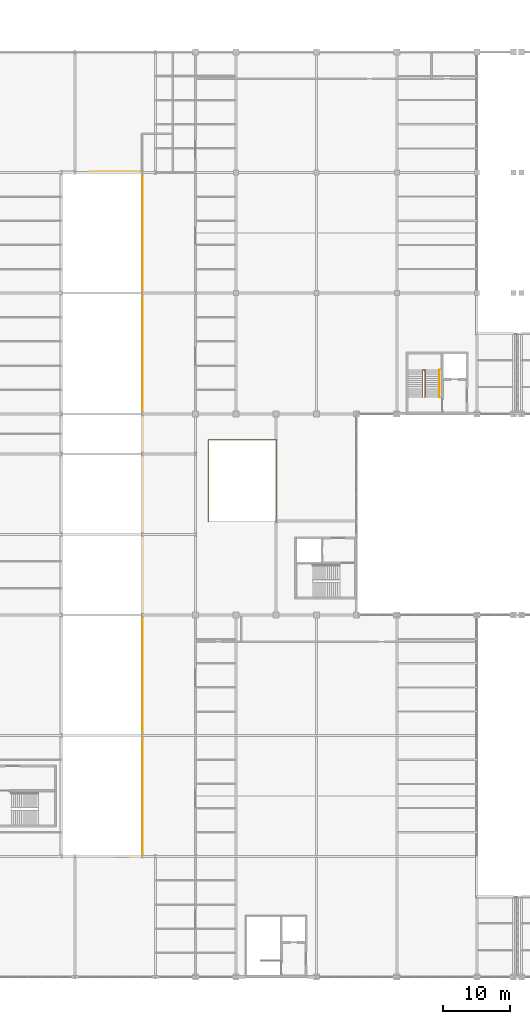
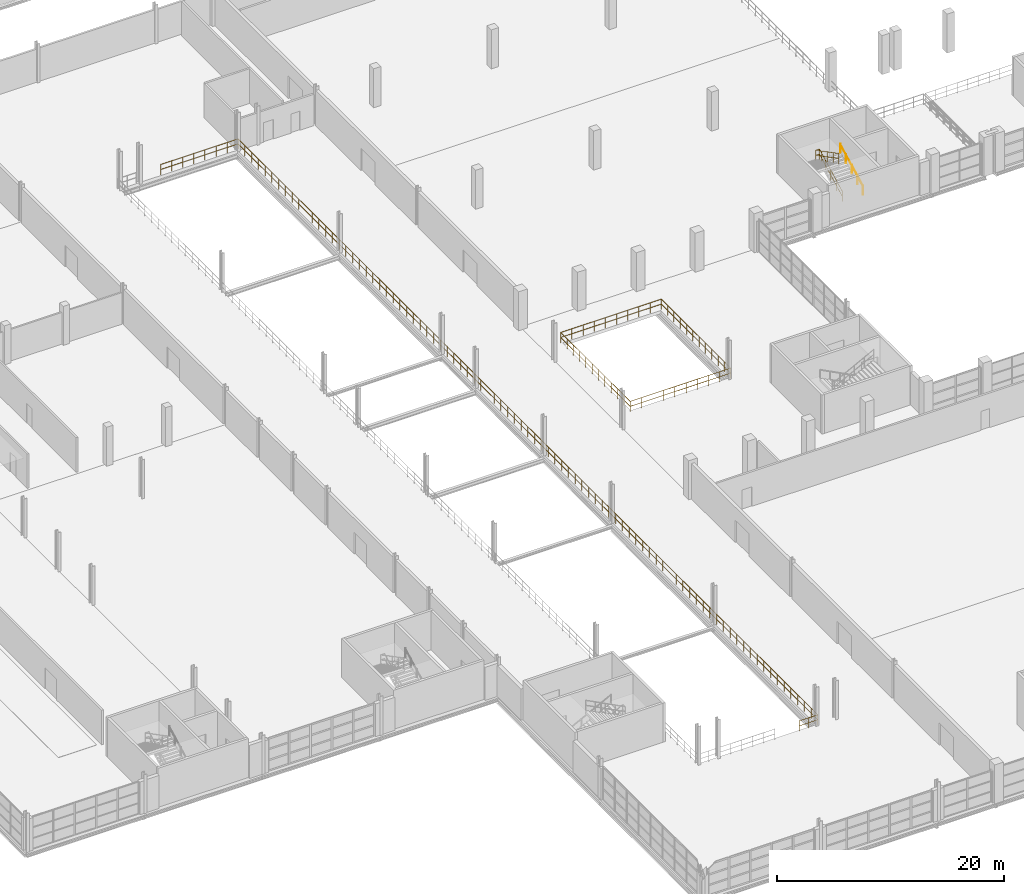
# One storey, part 155 of 158: 4 railings.
"""IFC4 building model written with IfcOpenShell, lengths in metres."""

from ifc_helpers import new_model, si_unit, direction, frame, origin, origin_2d, place, context, subcontext, project, spatial, circle, extrude, material, type_object, element, save


model = new_model("IFC4")

# Units and contexts
model_context = context("Model", 3, precision=1e-05, world=origin(), true_north=direction((0.0, 1.0)))
body_context = subcontext(model_context, "Body", "Model", "MODEL_VIEW")
ifc_project = project(units=[si_unit("LENGTHUNIT", "METRE"), si_unit("AREAUNIT", "SQUARE_METRE"), si_unit("VOLUMEUNIT", "CUBIC_METRE"), si_unit("PLANEANGLEUNIT", "RADIAN"), si_unit("MASSUNIT", "GRAM", prefix="KILO")], contexts=[model_context])

# Site, building, storey
site_placement = place(None, origin())
site = spatial("IfcSite", under=ifc_project, at=site_placement, CompositionType="ELEMENT")
building_placement = place(site_placement, origin())
building = spatial("IfcBuilding", under=site, at=building_placement, Name="Zilviju Railside Exhibition Hall", CompositionType="ELEMENT")
storey_placement = place(building_placement, frame((0.0, 0.0, 4.199951171875)))
storey = spatial("IfcBuildingStorey", under=building, at=storey_placement, Name="L02", CompositionType="ELEMENT", Elevation=4.199951171875)

# Railings
ifc_material_1 = material(Name="Brushed bronze tubular stair handrail", Category="steel")
railing_type_1 = type_object("IfcRailingType", Name="RL-HANDRAIL-920", PredefinedType="HANDRAIL", material=ifc_material_1)
railing_1_placement = place(storey_placement, frame((114.360107421875, 86.5, 0.0)))
element("IfcRailing", 1, at=railing_1_placement, inside=storey, type_object=railing_type_1, Name="Core C04 North Hall Court West Stair Wall Handrail L02", PredefinedType="HANDRAIL", context=body_context, shape_type="SweptSolid", body=[
    extrude(circle(Radius=0.02392578125, at=origin_2d()), frame((0.0, 0.019287109375, 0.906005859375), z_axis=(0.0, 0.88681272381, 0.462128978628), x_axis=(-1.0, 0.0, 0.0)), (0.0, 0.0, 1.0), 4.500732421875),
    extrude(circle(Radius=0.02099609375, at=origin_2d()), origin(), (0.0, 0.0, 1.0), 0.919921875),
    extrude(circle(Radius=0.02099609375, at=origin_2d()), frame((0.0, 1.007568359375, 0.52490234375)), (0.0, 0.0, 1.0), 0.919921875),
    extrude(circle(Radius=0.02099609375, at=origin_2d()), frame((0.0, 2.01513671875, 1.050048828125)), (0.0, 0.0, 1.0), 0.919921875),
    extrude(circle(Radius=0.02099609375, at=origin_2d()), frame((0.0, 3.0224609375, 1.5751953125)), (0.0, 0.0, 1.0), 0.919921875),
    extrude(circle(Radius=0.02099609375, at=origin_2d()), frame((0.0, 4.030029296875, 2.10009765625)), (0.0, 0.0, 1.0), 0.919921875),
])
ifc_material_2 = material(Name="Wrought-iron and laminated-glass atrium guardrail", Category="glass")
railing_type_2 = type_object("IfcRailingType", Name="RL-INT-GUARD-1120", PredefinedType="GUARDRAIL", material=ifc_material_2)
railing_2_placement = place(storey_placement, frame((112.22998046875, 86.5, 0.0)))
element("IfcRailing", 2, at=railing_2_placement, inside=storey, type_object=railing_type_2, Name="Core C04 North Hall Court West Stair Well Guardrail L02", PredefinedType="GUARDRAIL", context=body_context, shape_type="SweptSolid", body=[
    extrude(circle(Radius=0.02392578125, at=origin_2d()), frame((0.0, 0.019287109375, 1.106201171875), z_axis=(0.0, 0.88681272381, 0.462128978628), x_axis=(-1.0, 0.0, 0.0)), (0.0, 0.0, 1.0), 4.500732421875),
    extrude(circle(Radius=0.02392578125, at=origin_2d()), frame((0.0, 0.019287109375, 0.570068359375), z_axis=(0.0, 0.88681272381, 0.462128978628), x_axis=(-1.0, 0.0, 0.0)), (0.0, 0.0, 1.0), 4.500732421875),
    extrude(circle(Radius=0.02392578125, at=origin_2d()), frame((-0.021728515625, 4.030029296875, 3.1962890625), z_axis=(-1.0, 0.0, 0.0), x_axis=(0.0, -1.0, 0.0)), (0.0, 0.0, 1.0), 0.316162109375),
    extrude(circle(Radius=0.02392578125, at=origin_2d()), frame((-0.021728515625, 4.030029296875, 2.66015625), z_axis=(-1.0, 0.0, 0.0), x_axis=(0.0, -1.0, 0.0)), (0.0, 0.0, 1.0), 0.316162109375),
    extrude(circle(Radius=0.02392578125, at=origin_2d()), frame((-0.35986328125, 4.0107421875, 3.206298828125), z_axis=(0.0, -0.886834740388, 0.462086726969), x_axis=(1.0, 0.0, 0.0)), (0.0, 0.0, 1.0), 4.500732421875),
    extrude(circle(Radius=0.02392578125, at=origin_2d()), frame((-0.35986328125, 4.0107421875, 2.670166015625), z_axis=(0.0, -0.886834740388, 0.462086726969), x_axis=(1.0, 0.0, 0.0)), (0.0, 0.0, 1.0), 4.500732421875),
    extrude(circle(Radius=0.02099609375, at=origin_2d()), origin(), (0.0, 0.0, 1.0), 1.1201171875),
    extrude(circle(Radius=0.02099609375, at=origin_2d()), frame((0.0, 1.007568359375, 0.52490234375)), (0.0, 0.0, 1.0), 1.1201171875),
    extrude(circle(Radius=0.02099609375, at=origin_2d()), frame((0.0, 2.01513671875, 1.050048828125)), (0.0, 0.0, 1.0), 1.1201171875),
    extrude(circle(Radius=0.02099609375, at=origin_2d()), frame((0.0, 3.0224609375, 1.5751953125)), (0.0, 0.0, 1.0), 1.1201171875),
    extrude(circle(Radius=0.02099609375, at=origin_2d()), frame((0.0, 4.030029296875, 2.10009765625)), (0.0, 0.0, 1.0), 1.1201171875),
    extrude(circle(Radius=0.02099609375, at=origin_2d()), frame((-0.35986328125, 4.030029296875, 2.10009765625)), (0.0, 0.0, 1.0), 1.1201171875),
    extrude(circle(Radius=0.02099609375, at=origin_2d()), frame((-0.35986328125, 3.0224609375, 2.625)), (0.0, 0.0, 1.0), 1.1201171875),
    extrude(circle(Radius=0.02099609375, at=origin_2d()), frame((-0.35986328125, 2.01513671875, 3.14990234375)), (0.0, 0.0, 1.0), 1.1201171875),
    extrude(circle(Radius=0.02099609375, at=origin_2d()), frame((-0.35986328125, 1.007568359375, 3.675048828125)), (0.0, 0.0, 1.0), 1.1201171875),
    extrude(circle(Radius=0.02099609375, at=origin_2d()), frame((-0.35986328125, 0.0, 4.199951171875)), (0.0, 0.0, 1.0), 1.1201171875),
])
railing_3_placement = place(storey_placement, frame((68.25, 17.8798828125, 0.0)))
element("IfcRailing", 3, at=railing_3_placement, inside=storey, type_object=railing_type_2, Name="Interior Atrium & Gallery Guardrail V3-ATR-E", PredefinedType="GUARDRAIL", context=body_context, shape_type="SweptSolid", body=[
    extrude(circle(Radius=0.02392578125, at=origin_2d()), frame((0.021728515625, 0.0, 1.09619140625), z_axis=(1.0, 0.0, 0.0), x_axis=(0.0, 1.0, 0.0)), (0.0, 0.0, 1.0), 1.826416015625),
    extrude(circle(Radius=0.02392578125, at=origin_2d()), frame((0.021728515625, 0.0, 0.56005859375), z_axis=(1.0, 0.0, 0.0), x_axis=(0.0, 1.0, 0.0)), (0.0, 0.0, 1.0), 1.826416015625),
    extrude(circle(Radius=0.02392578125, at=origin_2d()), frame((1.8701171875, 0.021728515625, 1.09619140625), z_axis=(0.0, 1.0, 0.0), x_axis=(-1.0, 0.0, 0.0)), (0.0, 0.0, 1.0), 102.196533203125),
    extrude(circle(Radius=0.02392578125, at=origin_2d()), frame((1.8701171875, 0.021728515625, 0.56005859375), z_axis=(0.0, 1.0, 0.0), x_axis=(-1.0, 0.0, 0.0)), (0.0, 0.0, 1.0), 102.196533203125),
    extrude(circle(Radius=0.02392578125, at=origin_2d()), frame((1.848388671875, 102.240234375, 1.09619140625), z_axis=(-1.0, 0.0, 0.0), x_axis=(0.0, -1.0, 0.0)), (0.0, 0.0, 1.0), 7.826416015625),
    extrude(circle(Radius=0.02392578125, at=origin_2d()), frame((1.848388671875, 102.240234375, 0.56005859375), z_axis=(-1.0, 0.0, 0.0), x_axis=(0.0, -1.0, 0.0)), (0.0, 0.0, 1.0), 7.826416015625),
    extrude(circle(Radius=0.02099609375, at=origin_2d()), origin(), (0.0, 0.0, 1.0), 1.1201171875),
    extrude(circle(Radius=0.02099609375, at=origin_2d()), frame((0.93505859375, 0.0, 0.0)), (0.0, 0.0, 1.0), 1.1201171875),
    extrude(circle(Radius=0.02099609375, at=origin_2d()), frame((1.8701171875, 0.0, 0.0)), (0.0, 0.0, 1.0), 1.1201171875),
    extrude(circle(Radius=0.02099609375, at=origin_2d()), frame((1.8701171875, 1.188720703125, 0.0)), (0.0, 0.0, 1.0), 1.1201171875),
    extrude(circle(Radius=0.02099609375, at=origin_2d()), frame((1.8701171875, 2.377685546875, 0.0)), (0.0, 0.0, 1.0), 1.1201171875),
    extrude(circle(Radius=0.02099609375, at=origin_2d()), frame((1.8701171875, 3.56640625, 0.0)), (0.0, 0.0, 1.0), 1.1201171875),
    extrude(circle(Radius=0.02099609375, at=origin_2d()), frame((1.8701171875, 4.75537109375, 0.0)), (0.0, 0.0, 1.0), 1.1201171875),
    extrude(circle(Radius=0.02099609375, at=origin_2d()), frame((1.8701171875, 5.944091796875, 0.0)), (0.0, 0.0, 1.0), 1.1201171875),
    extrude(circle(Radius=0.02099609375, at=origin_2d()), frame((1.8701171875, 7.133056640625, 0.0)), (0.0, 0.0, 1.0), 1.1201171875),
    extrude(circle(Radius=0.02099609375, at=origin_2d()), frame((1.8701171875, 8.32177734375, 0.0)), (0.0, 0.0, 1.0), 1.1201171875),
    extrude(circle(Radius=0.02099609375, at=origin_2d()), frame((1.8701171875, 9.5107421875, 0.0)), (0.0, 0.0, 1.0), 1.1201171875),
    extrude(circle(Radius=0.02099609375, at=origin_2d()), frame((1.8701171875, 10.699462890625, 0.0)), (0.0, 0.0, 1.0), 1.1201171875),
    extrude(circle(Radius=0.02099609375, at=origin_2d()), frame((1.8701171875, 11.888427734375, 0.0)), (0.0, 0.0, 1.0), 1.1201171875),
    extrude(circle(Radius=0.02099609375, at=origin_2d()), frame((1.8701171875, 13.0771484375, 0.0)), (0.0, 0.0, 1.0), 1.1201171875),
    extrude(circle(Radius=0.02099609375, at=origin_2d()), frame((1.8701171875, 14.26611328125, 0.0)), (0.0, 0.0, 1.0), 1.1201171875),
    extrude(circle(Radius=0.02099609375, at=origin_2d()), frame((1.8701171875, 15.454833984375, 0.0)), (0.0, 0.0, 1.0), 1.1201171875),
    extrude(circle(Radius=0.02099609375, at=origin_2d()), frame((1.8701171875, 16.643798828125, 0.0)), (0.0, 0.0, 1.0), 1.1201171875),
    extrude(circle(Radius=0.02099609375, at=origin_2d()), frame((1.8701171875, 17.83251953125, 0.0)), (0.0, 0.0, 1.0), 1.1201171875),
    extrude(circle(Radius=0.02099609375, at=origin_2d()), frame((1.8701171875, 19.021484375, 0.0)), (0.0, 0.0, 1.0), 1.1201171875),
    extrude(circle(Radius=0.02099609375, at=origin_2d()), frame((1.8701171875, 20.210205078125, 0.0)), (0.0, 0.0, 1.0), 1.1201171875),
    extrude(circle(Radius=0.02099609375, at=origin_2d()), frame((1.8701171875, 21.399169921875, 0.0)), (0.0, 0.0, 1.0), 1.1201171875),
    extrude(circle(Radius=0.02099609375, at=origin_2d()), frame((1.8701171875, 22.587890625, 0.0)), (0.0, 0.0, 1.0), 1.1201171875),
    extrude(circle(Radius=0.02099609375, at=origin_2d()), frame((1.8701171875, 23.77685546875, 0.0)), (0.0, 0.0, 1.0), 1.1201171875),
    extrude(circle(Radius=0.02099609375, at=origin_2d()), frame((1.8701171875, 24.965576171875, 0.0)), (0.0, 0.0, 1.0), 1.1201171875),
    extrude(circle(Radius=0.02099609375, at=origin_2d()), frame((1.8701171875, 26.154541015625, 0.0)), (0.0, 0.0, 1.0), 1.1201171875),
    extrude(circle(Radius=0.02099609375, at=origin_2d()), frame((1.8701171875, 27.34326171875, 0.0)), (0.0, 0.0, 1.0), 1.1201171875),
    extrude(circle(Radius=0.02099609375, at=origin_2d()), frame((1.8701171875, 28.5322265625, 0.0)), (0.0, 0.0, 1.0), 1.1201171875),
    extrude(circle(Radius=0.02099609375, at=origin_2d()), frame((1.8701171875, 29.720947265625, 0.0)), (0.0, 0.0, 1.0), 1.1201171875),
    extrude(circle(Radius=0.02099609375, at=origin_2d()), frame((1.8701171875, 30.909912109375, 0.0)), (0.0, 0.0, 1.0), 1.1201171875),
    extrude(circle(Radius=0.02099609375, at=origin_2d()), frame((1.8701171875, 32.0986328125, 0.0)), (0.0, 0.0, 1.0), 1.1201171875),
    extrude(circle(Radius=0.02099609375, at=origin_2d()), frame((1.8701171875, 33.28759765625, 0.0)), (0.0, 0.0, 1.0), 1.1201171875),
    extrude(circle(Radius=0.02099609375, at=origin_2d()), frame((1.8701171875, 34.476318359375, 0.0)), (0.0, 0.0, 1.0), 1.1201171875),
    extrude(circle(Radius=0.02099609375, at=origin_2d()), frame((1.8701171875, 35.665283203125, 0.0)), (0.0, 0.0, 1.0), 1.1201171875),
    extrude(circle(Radius=0.02099609375, at=origin_2d()), frame((1.8701171875, 36.85400390625, 0.0)), (0.0, 0.0, 1.0), 1.1201171875),
    extrude(circle(Radius=0.02099609375, at=origin_2d()), frame((1.8701171875, 38.04296875, 0.0)), (0.0, 0.0, 1.0), 1.1201171875),
    extrude(circle(Radius=0.02099609375, at=origin_2d()), frame((1.8701171875, 39.231689453125, 0.0)), (0.0, 0.0, 1.0), 1.1201171875),
    extrude(circle(Radius=0.02099609375, at=origin_2d()), frame((1.8701171875, 40.420654296875, 0.0)), (0.0, 0.0, 1.0), 1.1201171875),
    extrude(circle(Radius=0.02099609375, at=origin_2d()), frame((1.8701171875, 41.609375, 0.0)), (0.0, 0.0, 1.0), 1.1201171875),
    extrude(circle(Radius=0.02099609375, at=origin_2d()), frame((1.8701171875, 42.79833984375, 0.0)), (0.0, 0.0, 1.0), 1.1201171875),
    extrude(circle(Radius=0.02099609375, at=origin_2d()), frame((1.8701171875, 43.987060546875, 0.0)), (0.0, 0.0, 1.0), 1.1201171875),
    extrude(circle(Radius=0.02099609375, at=origin_2d()), frame((1.8701171875, 45.176025390625, 0.0)), (0.0, 0.0, 1.0), 1.1201171875),
    extrude(circle(Radius=0.02099609375, at=origin_2d()), frame((1.8701171875, 46.36474609375, 0.0)), (0.0, 0.0, 1.0), 1.1201171875),
    extrude(circle(Radius=0.02099609375, at=origin_2d()), frame((1.8701171875, 47.5537109375, 0.0)), (0.0, 0.0, 1.0), 1.1201171875),
    extrude(circle(Radius=0.02099609375, at=origin_2d()), frame((1.8701171875, 48.742431640625, 0.0)), (0.0, 0.0, 1.0), 1.1201171875),
    extrude(circle(Radius=0.02099609375, at=origin_2d()), frame((1.8701171875, 49.931396484375, 0.0)), (0.0, 0.0, 1.0), 1.1201171875),
    extrude(circle(Radius=0.02099609375, at=origin_2d()), frame((1.8701171875, 51.1201171875, 0.0)), (0.0, 0.0, 1.0), 1.1201171875),
    extrude(circle(Radius=0.02099609375, at=origin_2d()), frame((1.8701171875, 52.308837890625, 0.0)), (0.0, 0.0, 1.0), 1.1201171875),
    extrude(circle(Radius=0.02099609375, at=origin_2d()), frame((1.8701171875, 53.497802734375, 0.0)), (0.0, 0.0, 1.0), 1.1201171875),
    extrude(circle(Radius=0.02099609375, at=origin_2d()), frame((1.8701171875, 54.6865234375, 0.0)), (0.0, 0.0, 1.0), 1.1201171875),
    extrude(circle(Radius=0.02099609375, at=origin_2d()), frame((1.8701171875, 55.87548828125, 0.0)), (0.0, 0.0, 1.0), 1.1201171875),
    extrude(circle(Radius=0.02099609375, at=origin_2d()), frame((1.8701171875, 57.064208984375, 0.0)), (0.0, 0.0, 1.0), 1.1201171875),
    extrude(circle(Radius=0.02099609375, at=origin_2d()), frame((1.8701171875, 58.253173828125, 0.0)), (0.0, 0.0, 1.0), 1.1201171875),
    extrude(circle(Radius=0.02099609375, at=origin_2d()), frame((1.8701171875, 59.44189453125, 0.0)), (0.0, 0.0, 1.0), 1.1201171875),
    extrude(circle(Radius=0.02099609375, at=origin_2d()), frame((1.8701171875, 60.630859375, 0.0)), (0.0, 0.0, 1.0), 1.1201171875),
    extrude(circle(Radius=0.02099609375, at=origin_2d()), frame((1.8701171875, 61.819580078125, 0.0)), (0.0, 0.0, 1.0), 1.1201171875),
    extrude(circle(Radius=0.02099609375, at=origin_2d()), frame((1.8701171875, 63.008544921875, 0.0)), (0.0, 0.0, 1.0), 1.1201171875),
    extrude(circle(Radius=0.02099609375, at=origin_2d()), frame((1.8701171875, 64.197265625, 0.0)), (0.0, 0.0, 1.0), 1.1201171875),
    extrude(circle(Radius=0.02099609375, at=origin_2d()), frame((1.8701171875, 65.38623046875, 0.0)), (0.0, 0.0, 1.0), 1.1201171875),
    extrude(circle(Radius=0.02099609375, at=origin_2d()), frame((1.8701171875, 66.574951171875, 0.0)), (0.0, 0.0, 1.0), 1.1201171875),
    extrude(circle(Radius=0.02099609375, at=origin_2d()), frame((1.8701171875, 67.763916015625, 0.0)), (0.0, 0.0, 1.0), 1.1201171875),
    extrude(circle(Radius=0.02099609375, at=origin_2d()), frame((1.8701171875, 68.95263671875, 0.0)), (0.0, 0.0, 1.0), 1.1201171875),
    extrude(circle(Radius=0.02099609375, at=origin_2d()), frame((1.8701171875, 70.1416015625, 0.0)), (0.0, 0.0, 1.0), 1.1201171875),
    extrude(circle(Radius=0.02099609375, at=origin_2d()), frame((1.8701171875, 71.330322265625, 0.0)), (0.0, 0.0, 1.0), 1.1201171875),
    extrude(circle(Radius=0.02099609375, at=origin_2d()), frame((1.8701171875, 72.519287109375, 0.0)), (0.0, 0.0, 1.0), 1.1201171875),
    extrude(circle(Radius=0.02099609375, at=origin_2d()), frame((1.8701171875, 73.7080078125, 0.0)), (0.0, 0.0, 1.0), 1.1201171875),
    extrude(circle(Radius=0.02099609375, at=origin_2d()), frame((1.8701171875, 74.89697265625, 0.0)), (0.0, 0.0, 1.0), 1.1201171875),
    extrude(circle(Radius=0.02099609375, at=origin_2d()), frame((1.8701171875, 76.085693359375, 0.0)), (0.0, 0.0, 1.0), 1.1201171875),
    extrude(circle(Radius=0.02099609375, at=origin_2d()), frame((1.8701171875, 77.274658203125, 0.0)), (0.0, 0.0, 1.0), 1.1201171875),
    extrude(circle(Radius=0.02099609375, at=origin_2d()), frame((1.8701171875, 78.46337890625, 0.0)), (0.0, 0.0, 1.0), 1.1201171875),
    extrude(circle(Radius=0.02099609375, at=origin_2d()), frame((1.8701171875, 79.65234375, 0.0)), (0.0, 0.0, 1.0), 1.1201171875),
    extrude(circle(Radius=0.02099609375, at=origin_2d()), frame((1.8701171875, 80.841064453125, 0.0)), (0.0, 0.0, 1.0), 1.1201171875),
    extrude(circle(Radius=0.02099609375, at=origin_2d()), frame((1.8701171875, 82.030029296875, 0.0)), (0.0, 0.0, 1.0), 1.1201171875),
    extrude(circle(Radius=0.02099609375, at=origin_2d()), frame((1.8701171875, 83.21875, 0.0)), (0.0, 0.0, 1.0), 1.1201171875),
    extrude(circle(Radius=0.02099609375, at=origin_2d()), frame((1.8701171875, 84.40771484375, 0.0)), (0.0, 0.0, 1.0), 1.1201171875),
    extrude(circle(Radius=0.02099609375, at=origin_2d()), frame((1.8701171875, 85.596435546875, 0.0)), (0.0, 0.0, 1.0), 1.1201171875),
    extrude(circle(Radius=0.02099609375, at=origin_2d()), frame((1.8701171875, 86.785400390625, 0.0)), (0.0, 0.0, 1.0), 1.1201171875),
    extrude(circle(Radius=0.02099609375, at=origin_2d()), frame((1.8701171875, 87.97412109375, 0.0)), (0.0, 0.0, 1.0), 1.1201171875),
    extrude(circle(Radius=0.02099609375, at=origin_2d()), frame((1.8701171875, 89.1630859375, 0.0)), (0.0, 0.0, 1.0), 1.1201171875),
    extrude(circle(Radius=0.02099609375, at=origin_2d()), frame((1.8701171875, 90.351806640625, 0.0)), (0.0, 0.0, 1.0), 1.1201171875),
    extrude(circle(Radius=0.02099609375, at=origin_2d()), frame((1.8701171875, 91.540771484375, 0.0)), (0.0, 0.0, 1.0), 1.1201171875),
    extrude(circle(Radius=0.02099609375, at=origin_2d()), frame((1.8701171875, 92.7294921875, 0.0)), (0.0, 0.0, 1.0), 1.1201171875),
    extrude(circle(Radius=0.02099609375, at=origin_2d()), frame((1.8701171875, 93.91845703125, 0.0)), (0.0, 0.0, 1.0), 1.1201171875),
    extrude(circle(Radius=0.02099609375, at=origin_2d()), frame((1.8701171875, 95.107177734375, 0.0)), (0.0, 0.0, 1.0), 1.1201171875),
    extrude(circle(Radius=0.02099609375, at=origin_2d()), frame((1.8701171875, 96.296142578125, 0.0)), (0.0, 0.0, 1.0), 1.1201171875),
    extrude(circle(Radius=0.02099609375, at=origin_2d()), frame((1.8701171875, 97.48486328125, 0.0)), (0.0, 0.0, 1.0), 1.1201171875),
    extrude(circle(Radius=0.02099609375, at=origin_2d()), frame((1.8701171875, 98.673828125, 0.0)), (0.0, 0.0, 1.0), 1.1201171875),
    extrude(circle(Radius=0.02099609375, at=origin_2d()), frame((1.8701171875, 99.862548828125, 0.0)), (0.0, 0.0, 1.0), 1.1201171875),
    extrude(circle(Radius=0.02099609375, at=origin_2d()), frame((1.8701171875, 101.051513671875, 0.0)), (0.0, 0.0, 1.0), 1.1201171875),
    extrude(circle(Radius=0.02099609375, at=origin_2d()), frame((1.8701171875, 102.240234375, 0.0)), (0.0, 0.0, 1.0), 1.1201171875),
    extrude(circle(Radius=0.02099609375, at=origin_2d()), frame((0.745849609375, 102.240234375, 0.0)), (0.0, 0.0, 1.0), 1.1201171875),
    extrude(circle(Radius=0.02099609375, at=origin_2d()), frame((-0.37841796875, 102.240234375, 0.0)), (0.0, 0.0, 1.0), 1.1201171875),
    extrude(circle(Radius=0.02099609375, at=origin_2d()), frame((-1.502685546875, 102.240234375, 0.0)), (0.0, 0.0, 1.0), 1.1201171875),
    extrude(circle(Radius=0.02099609375, at=origin_2d()), frame((-2.627197265625, 102.240234375, 0.0)), (0.0, 0.0, 1.0), 1.1201171875),
    extrude(circle(Radius=0.02099609375, at=origin_2d()), frame((-3.75146484375, 102.240234375, 0.0)), (0.0, 0.0, 1.0), 1.1201171875),
    extrude(circle(Radius=0.02099609375, at=origin_2d()), frame((-4.875732421875, 102.240234375, 0.0)), (0.0, 0.0, 1.0), 1.1201171875),
    extrude(circle(Radius=0.02099609375, at=origin_2d()), frame((-6.0, 102.240234375, 0.0)), (0.0, 0.0, 1.0), 1.1201171875),
])
railing_4_placement = place(storey_placement, frame((79.8798828125, 67.8798828125, 0.0)))
element("IfcRailing", 4, at=railing_4_placement, inside=storey, type_object=railing_type_2, Name="Interior Atrium & Gallery Guardrail V3-CT-L02", PredefinedType="GUARDRAIL", context=body_context, shape_type="SweptSolid", body=[
    extrude(circle(Radius=0.02392578125, at=origin_2d()), frame((0.021728515625, 0.0, 1.09619140625), z_axis=(1.0, 0.0, 0.0), x_axis=(0.0, 1.0, 0.0)), (0.0, 0.0, 1.0), 10.196533203125),
    extrude(circle(Radius=0.02392578125, at=origin_2d()), frame((0.021728515625, 0.0, 0.56005859375), z_axis=(1.0, 0.0, 0.0), x_axis=(0.0, 1.0, 0.0)), (0.0, 0.0, 1.0), 10.196533203125),
    extrude(circle(Radius=0.02392578125, at=origin_2d()), frame((10.240234375, 0.021728515625, 1.09619140625), z_axis=(0.0, 1.0, 0.0), x_axis=(-1.0, 0.0, 0.0)), (0.0, 0.0, 1.0), 12.196533203125),
    extrude(circle(Radius=0.02392578125, at=origin_2d()), frame((10.240234375, 0.021728515625, 0.56005859375), z_axis=(0.0, 1.0, 0.0), x_axis=(-1.0, 0.0, 0.0)), (0.0, 0.0, 1.0), 12.196533203125),
    extrude(circle(Radius=0.02392578125, at=origin_2d()), frame((10.218505859375, 12.240234375, 1.09619140625), z_axis=(-1.0, 0.0, 0.0), x_axis=(0.0, -1.0, 0.0)), (0.0, 0.0, 1.0), 10.196533203125),
    extrude(circle(Radius=0.02392578125, at=origin_2d()), frame((10.218505859375, 12.240234375, 0.56005859375), z_axis=(-1.0, 0.0, 0.0), x_axis=(0.0, -1.0, 0.0)), (0.0, 0.0, 1.0), 10.196533203125),
    extrude(circle(Radius=0.02392578125, at=origin_2d()), frame((0.0, 12.218505859375, 1.09619140625), z_axis=(0.0, -1.0, 0.0), x_axis=(1.0, 0.0, 0.0)), (0.0, 0.0, 1.0), 12.196533203125),
    extrude(circle(Radius=0.02392578125, at=origin_2d()), frame((0.0, 12.218505859375, 0.56005859375), z_axis=(0.0, -1.0, 0.0), x_axis=(1.0, 0.0, 0.0)), (0.0, 0.0, 1.0), 12.196533203125),
    extrude(circle(Radius=0.02099609375, at=origin_2d()), origin(), (0.0, 0.0, 1.0), 1.1201171875),
    extrude(circle(Radius=0.02099609375, at=origin_2d()), frame((1.1376953125, 0.0, 0.0)), (0.0, 0.0, 1.0), 1.1201171875),
    extrude(circle(Radius=0.02099609375, at=origin_2d()), frame((2.275634765625, 0.0, 0.0)), (0.0, 0.0, 1.0), 1.1201171875),
    extrude(circle(Radius=0.02099609375, at=origin_2d()), frame((3.413330078125, 0.0, 0.0)), (0.0, 0.0, 1.0), 1.1201171875),
    extrude(circle(Radius=0.02099609375, at=origin_2d()), frame((4.55126953125, 0.0, 0.0)), (0.0, 0.0, 1.0), 1.1201171875),
    extrude(circle(Radius=0.02099609375, at=origin_2d()), frame((5.68896484375, 0.0, 0.0)), (0.0, 0.0, 1.0), 1.1201171875),
    extrude(circle(Radius=0.02099609375, at=origin_2d()), frame((6.826904296875, 0.0, 0.0)), (0.0, 0.0, 1.0), 1.1201171875),
    extrude(circle(Radius=0.02099609375, at=origin_2d()), frame((7.964599609375, 0.0, 0.0)), (0.0, 0.0, 1.0), 1.1201171875),
    extrude(circle(Radius=0.02099609375, at=origin_2d()), frame((9.1025390625, 0.0, 0.0)), (0.0, 0.0, 1.0), 1.1201171875),
    extrude(circle(Radius=0.02099609375, at=origin_2d()), frame((10.240234375, 0.0, 0.0)), (0.0, 0.0, 1.0), 1.1201171875),
    extrude(circle(Radius=0.02099609375, at=origin_2d()), frame((10.240234375, 1.11279296875, 0.0)), (0.0, 0.0, 1.0), 1.1201171875),
    extrude(circle(Radius=0.02099609375, at=origin_2d()), frame((10.240234375, 2.2255859375, 0.0)), (0.0, 0.0, 1.0), 1.1201171875),
    extrude(circle(Radius=0.02099609375, at=origin_2d()), frame((10.240234375, 3.338134765625, 0.0)), (0.0, 0.0, 1.0), 1.1201171875),
    extrude(circle(Radius=0.02099609375, at=origin_2d()), frame((10.240234375, 4.450927734375, 0.0)), (0.0, 0.0, 1.0), 1.1201171875),
    extrude(circle(Radius=0.02099609375, at=origin_2d()), frame((10.240234375, 5.563720703125, 0.0)), (0.0, 0.0, 1.0), 1.1201171875),
    extrude(circle(Radius=0.02099609375, at=origin_2d()), frame((10.240234375, 6.676513671875, 0.0)), (0.0, 0.0, 1.0), 1.1201171875),
    extrude(circle(Radius=0.02099609375, at=origin_2d()), frame((10.240234375, 7.789306640625, 0.0)), (0.0, 0.0, 1.0), 1.1201171875),
    extrude(circle(Radius=0.02099609375, at=origin_2d()), frame((10.240234375, 8.902099609375, 0.0)), (0.0, 0.0, 1.0), 1.1201171875),
    extrude(circle(Radius=0.02099609375, at=origin_2d()), frame((10.240234375, 10.0146484375, 0.0)), (0.0, 0.0, 1.0), 1.1201171875),
    extrude(circle(Radius=0.02099609375, at=origin_2d()), frame((10.240234375, 11.12744140625, 0.0)), (0.0, 0.0, 1.0), 1.1201171875),
    extrude(circle(Radius=0.02099609375, at=origin_2d()), frame((10.240234375, 12.240234375, 0.0)), (0.0, 0.0, 1.0), 1.1201171875),
    extrude(circle(Radius=0.02099609375, at=origin_2d()), frame((9.1025390625, 12.240234375, 0.0)), (0.0, 0.0, 1.0), 1.1201171875),
    extrude(circle(Radius=0.02099609375, at=origin_2d()), frame((7.964599609375, 12.240234375, 0.0)), (0.0, 0.0, 1.0), 1.1201171875),
    extrude(circle(Radius=0.02099609375, at=origin_2d()), frame((6.826904296875, 12.240234375, 0.0)), (0.0, 0.0, 1.0), 1.1201171875),
    extrude(circle(Radius=0.02099609375, at=origin_2d()), frame((5.68896484375, 12.240234375, 0.0)), (0.0, 0.0, 1.0), 1.1201171875),
    extrude(circle(Radius=0.02099609375, at=origin_2d()), frame((4.55126953125, 12.240234375, 0.0)), (0.0, 0.0, 1.0), 1.1201171875),
    extrude(circle(Radius=0.02099609375, at=origin_2d()), frame((3.413330078125, 12.240234375, 0.0)), (0.0, 0.0, 1.0), 1.1201171875),
    extrude(circle(Radius=0.02099609375, at=origin_2d()), frame((2.275634765625, 12.240234375, 0.0)), (0.0, 0.0, 1.0), 1.1201171875),
    extrude(circle(Radius=0.02099609375, at=origin_2d()), frame((1.1376953125, 12.240234375, 0.0)), (0.0, 0.0, 1.0), 1.1201171875),
    extrude(circle(Radius=0.02099609375, at=origin_2d()), frame((0.0, 12.240234375, 0.0)), (0.0, 0.0, 1.0), 1.1201171875),
    extrude(circle(Radius=0.02099609375, at=origin_2d()), frame((0.0, 11.12744140625, 0.0)), (0.0, 0.0, 1.0), 1.1201171875),
    extrude(circle(Radius=0.02099609375, at=origin_2d()), frame((0.0, 10.0146484375, 0.0)), (0.0, 0.0, 1.0), 1.1201171875),
    extrude(circle(Radius=0.02099609375, at=origin_2d()), frame((0.0, 8.902099609375, 0.0)), (0.0, 0.0, 1.0), 1.1201171875),
    extrude(circle(Radius=0.02099609375, at=origin_2d()), frame((0.0, 7.789306640625, 0.0)), (0.0, 0.0, 1.0), 1.1201171875),
    extrude(circle(Radius=0.02099609375, at=origin_2d()), frame((0.0, 6.676513671875, 0.0)), (0.0, 0.0, 1.0), 1.1201171875),
    extrude(circle(Radius=0.02099609375, at=origin_2d()), frame((0.0, 5.563720703125, 0.0)), (0.0, 0.0, 1.0), 1.1201171875),
    extrude(circle(Radius=0.02099609375, at=origin_2d()), frame((0.0, 4.450927734375, 0.0)), (0.0, 0.0, 1.0), 1.1201171875),
    extrude(circle(Radius=0.02099609375, at=origin_2d()), frame((0.0, 3.338134765625, 0.0)), (0.0, 0.0, 1.0), 1.1201171875),
    extrude(circle(Radius=0.02099609375, at=origin_2d()), frame((0.0, 2.2255859375, 0.0)), (0.0, 0.0, 1.0), 1.1201171875),
    extrude(circle(Radius=0.02099609375, at=origin_2d()), frame((0.0, 1.11279296875, 0.0)), (0.0, 0.0, 1.0), 1.1201171875),
])

save(model, "model.ifc")
